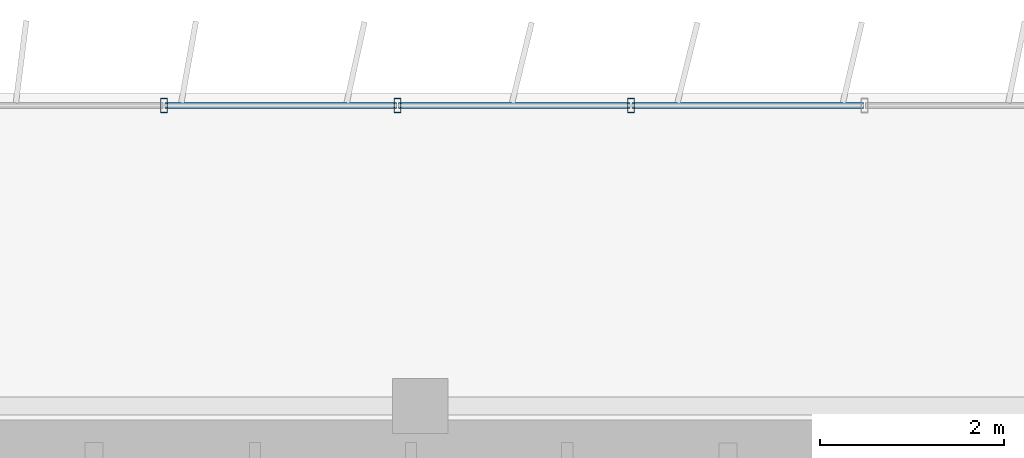
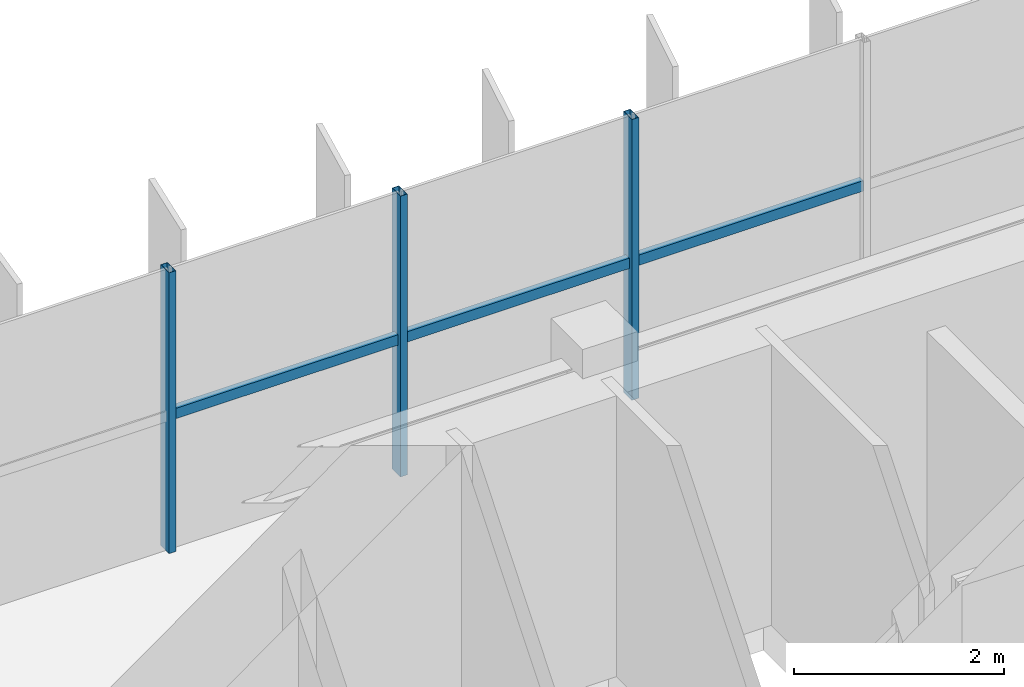
# One storey, part 15 of 28: 6 members, 1 element without a shape of its own.
"""IFC4 building model written with IfcOpenShell, lengths in metres."""

import ifcopenshell
import ifcopenshell.guid

model = None  # the IFC model being written
_history = None  # IfcOwnerHistory: only IFC2X3 demands one
_inside = {}  # id of a spatial element -> (the spatial element, [elements in it])
_under = {}  # id of a project, library or spatial element -> (it, [spatial elements below it])
_declared = {}  # id of a project -> (the project, [libraries it declares])
_typed = {}  # id of a type object -> (the type object, [elements of that type])
_made_of = {}  # id of a material, layer set ... -> (it, [elements and type objects made of it])


def new_model(schema):
    """Start an empty IFC model of exactly this schema.

    Asked for "IFC4X3", IfcOpenShell would pick the latest addendum, in which some entities
    have other attributes; the version numbers below select the first issue.
    IFC2X3 requires an IfcOwnerHistory on every rooted entity: one is made here for all.
    """
    global model, _history
    if schema == "IFC4X3":
        model = ifcopenshell.file(schema_version=(4, 3, 0, 0))
    else:
        model = ifcopenshell.file(schema=schema)
    _inside.clear()
    _under.clear()
    _declared.clear()
    _typed.clear()
    _made_of.clear()
    _history = None
    if model.schema == "IFC2X3":
        org = make("IfcOrganization", Name="unknown")
        user = make(
            "IfcPersonAndOrganization",
            ThePerson=make("IfcPerson", FamilyName="unknown"),
            TheOrganization=org,
        )
        app = make(
            "IfcApplication",
            ApplicationDeveloper=org,
            Version="unknown",
            ApplicationFullName="unknown",
            ApplicationIdentifier="unknown",
        )
        _history = make(
            "IfcOwnerHistory",
            OwningUser=user,
            OwningApplication=app,
            ChangeAction="ADDED",
            CreationDate=0,
        )
    return model


def make(cls, **values):
    """One entity of the class cls with the attributes given. An attribute that is None is left unset."""
    return model.create_entity(
        cls, **{name: value for name, value in values.items() if value is not None}
    )


def rooted(cls, **values):
    """An entity with a GlobalId (a new one), such as an element, a storey or a relation."""
    return make(cls, GlobalId=ifcopenshell.guid.new(), OwnerHistory=_history, **values)


def si_unit(unit_type, name, prefix=None):
    """IfcSIUnit, for example si_unit("LENGTHUNIT", "METRE", prefix="MILLI")."""
    return make("IfcSIUnit", UnitType=unit_type, Prefix=prefix, Name=name)


def assignment(units):
    """IfcUnitAssignment: the units of a project."""
    return None if units is None else make("IfcUnitAssignment", Units=units)


def point(xyz):
    """IfcCartesianPoint."""
    return None if xyz is None else make("IfcCartesianPoint", Coordinates=xyz)


def direction(xyz):
    """IfcDirection."""
    return None if xyz is None else make("IfcDirection", DirectionRatios=xyz)


def frame(location, z_axis=None, x_axis=None):
    """IfcAxis2Placement3D, a coordinate frame: its origin and axes. An axis left out is left unset."""
    return make(
        "IfcAxis2Placement3D",
        Location=point(location),
        Axis=direction(z_axis),
        RefDirection=direction(x_axis),
    )


def frame_2d(location, x_axis=None):
    """IfcAxis2Placement2D, a coordinate frame in the plane: its origin and x axis."""
    return make(
        "IfcAxis2Placement2D", Location=point(location), RefDirection=direction(x_axis)
    )


def origin():
    """The frame at (0, 0, 0) with its axes left unset."""
    return frame((0.0, 0.0, 0.0))


def origin_2d():
    """The frame at (0, 0) in the plane with its x axis left unset."""
    return frame_2d((0.0, 0.0))


def place(relative_to, where):
    """IfcLocalPlacement: puts the frame where relative to a parent placement (None: the world)."""
    return make(
        "IfcLocalPlacement", PlacementRelTo=relative_to, RelativePlacement=where
    )


def context(
    kind, dimensions, precision=None, world=None, true_north=None, identifier=None
):
    """IfcGeometricRepresentationContext, for example the 3D "Model" context."""
    return make(
        "IfcGeometricRepresentationContext",
        ContextIdentifier=identifier,
        ContextType=kind,
        CoordinateSpaceDimension=dimensions,
        Precision=precision,
        WorldCoordinateSystem=world,
        TrueNorth=true_north,
    )


def subcontext(parent, identifier, kind, view, scale=None):
    """IfcGeometricRepresentationSubContext, for example "Body" below "Model"."""
    return make(
        "IfcGeometricRepresentationSubContext",
        ContextIdentifier=identifier,
        ContextType=kind,
        ParentContext=parent,
        TargetScale=scale,
        TargetView=view,
    )


def project(units=None, contexts=None):
    """IfcProject with its units and contexts."""
    return rooted(
        "IfcProject",
        Name="project",
        RepresentationContexts=contexts,
        UnitsInContext=assignment(units),
    )


def spatial(cls, under=None, at=None, **own):
    """A site, building, storey or space (cls), placed at a placement, below another one or the project."""
    s = rooted(cls, ObjectPlacement=at, **own)
    if under is not None:
        _under.setdefault(under.id(), (under, []))[1].append(s)
    return s


def profile(cls, at=None, kind="AREA", **sizes):
    """A parametric profile (cls). Its sizes go by their IFC names, for example OverallWidth=200.0."""
    return make(cls, ProfileType=kind, Position=at, **sizes)


def hollow_rectangle(**sizes):
    """IfcRectangleHollowProfileDef."""
    return profile("IfcRectangleHollowProfileDef", **sizes)


def extrude(swept, where, along, depth):
    """IfcExtrudedAreaSolid: the profile swept, set in the frame where, extruded along a direction by depth."""
    return make(
        "IfcExtrudedAreaSolid",
        SweptArea=swept,
        Position=where,
        ExtrudedDirection=direction(along),
        Depth=depth,
    )


def shape(context_of_items, identifier, shape_type, items):
    """IfcShapeRepresentation: the items that make up one representation, for example the "Body"."""
    return make(
        "IfcShapeRepresentation",
        ContextOfItems=context_of_items,
        RepresentationIdentifier=identifier,
        RepresentationType=shape_type,
        Items=items,
    )


def source(mapping_origin, context_of_items, identifier, shape_type, items):
    """IfcRepresentationMap: a shape defined once, which mapped items show again and again."""
    return make(
        "IfcRepresentationMap",
        MappingOrigin=mapping_origin,
        MappedRepresentation=shape(context_of_items, identifier, shape_type, items),
    )


def transform(
    local_origin,
    x_axis=None,
    y_axis=None,
    z_axis=None,
    scale=None,
    scale2=None,
    scale3=None,
    uniform=True,
):
    """IfcCartesianTransformationOperator3D, or its non-uniform kind. x_axis, y_axis, z_axis: its Axis1, 2, 3."""
    if uniform:
        return make(
            "IfcCartesianTransformationOperator3D",
            Axis1=direction(x_axis),
            Axis2=direction(y_axis),
            LocalOrigin=point(local_origin),
            Scale=scale,
            Axis3=direction(z_axis),
        )
    return make(
        "IfcCartesianTransformationOperator3DnonUniform",
        Axis1=direction(x_axis),
        Axis2=direction(y_axis),
        LocalOrigin=point(local_origin),
        Scale=scale,
        Axis3=direction(z_axis),
        Scale2=scale2,
        Scale3=scale3,
    )


def mapped(mapping_source, mapping_target):
    """IfcMappedItem: shows the shape of a source again, moved by a transform."""
    return make(
        "IfcMappedItem", MappingSource=mapping_source, MappingTarget=mapping_target
    )


def material(Name=None, Category=None):
    """IfcMaterial."""
    return make("IfcMaterial", Name=Name, Category=Category)


def material_profile(
    of_material, cross_section, Name=None, Category=None, Priority=None
):
    """IfcMaterialProfile: a cross section and its material."""
    return make(
        "IfcMaterialProfile",
        Name=Name,
        Material=of_material,
        Profile=cross_section,
        Priority=Priority,
        Category=Category,
    )


def profile_set(profiles, Name=None, composite=None):
    """IfcMaterialProfileSet."""
    return make(
        "IfcMaterialProfileSet",
        Name=Name,
        MaterialProfiles=profiles,
        CompositeProfile=composite,
    )


def made_of(thing, what):
    """Note that an element or type object is made of a material, layer set ...; save() writes the relation."""
    if what is not None:
        _made_of.setdefault(what.id(), (what, []))[1].append(thing)
    return thing


def type_object(cls, material=None, **own):
    """A type object (cls), such as IfcWallType, which elements share."""
    return made_of(rooted(cls, **own), material)


def element(
    cls,
    number,
    at=None,
    inside=None,
    cuts=None,
    type_object=None,
    material=None,
    context=None,
    identifier="Body",
    shape_type=None,
    held_by="IfcProductDefinitionShape",
    body=None,
    shapes=None,
    **own,
):
    """One element of the class cls, such as IfcWall. Its Tag is "e" and its number.

    at: its placement. inside: the storey or other place that contains it. cuts: it is an
    opening in that element (IfcRelVoidsElement). A single representation is given by context,
    identifier, shape_type and body (its items); several are given by shapes. held_by: the class
    of the entity that holds the representations. save() writes the other relations.
    """
    e = rooted(cls, Tag="e%d" % number, ObjectPlacement=at, **own)
    if body is not None:
        shapes = [shape(context, identifier, shape_type, body)]
    if shapes is not None:
        e.Representation = make(held_by, Representations=shapes)
    if inside is not None:
        _inside.setdefault(inside.id(), (inside, []))[1].append(e)
    if cuts is not None:
        rooted(
            "IfcRelVoidsElement", RelatingBuildingElement=cuts, RelatedOpeningElement=e
        )
    if type_object is not None:
        _typed.setdefault(type_object.id(), (type_object, []))[1].append(e)
    return made_of(e, material)


def aggregate(whole, parts):
    """IfcRelAggregates: a whole, such as a stair, and the parts it consists of."""
    return rooted("IfcRelAggregates", RelatingObject=whole, RelatedObjects=parts)


def save(model, path):
    """Write the relations noted so far, then the file.

    IfcRelAggregates (storeys below a building ...), IfcRelContainedInSpatialStructure (elements
    in a storey), IfcRelDefinesByType, IfcRelAssociatesMaterial and IfcRelDeclares: one each for
    every whole, place, type object, material and project.
    """
    for whole, parts in _under.values():
        aggregate(whole, parts)
    for where, things in _inside.values():
        rooted(
            "IfcRelContainedInSpatialStructure",
            RelatedElements=things,
            RelatingStructure=where,
        )
    for kind, things in _typed.values():
        rooted("IfcRelDefinesByType", RelatedObjects=things, RelatingType=kind)
    for what, things in _made_of.values():
        rooted("IfcRelAssociatesMaterial", RelatedObjects=things, RelatingMaterial=what)
    for by, libraries in _declared.values():
        rooted("IfcRelDeclares", RelatingContext=by, RelatedDefinitions=libraries)
    model.write(path)


model = new_model("IFC4")

# Units and contexts
model_context = context("Model", 3, precision=1e-05, world=origin(), true_north=direction((0.0, 1.0)))
body_context = subcontext(model_context, "Body", "Model", "MODEL_VIEW")
ifc_project = project(units=[si_unit("LENGTHUNIT", "METRE"), si_unit("AREAUNIT", "SQUARE_METRE"), si_unit("VOLUMEUNIT", "CUBIC_METRE"), si_unit("PLANEANGLEUNIT", "RADIAN"), si_unit("MASSUNIT", "GRAM", prefix="KILO")], contexts=[model_context])

# Site, building, storey
site_placement = place(None, origin())
site = spatial("IfcSite", under=ifc_project, at=site_placement, CompositionType="ELEMENT")
building_placement = place(site_placement, origin())
building = spatial("IfcBuilding", under=site, at=building_placement, Name="Trelvane Seafront Commons", CompositionType="ELEMENT")
storey_placement = place(building_placement, frame((0.0, 0.0, 295.5)))
storey = spatial("IfcBuildingStorey", under=building, at=storey_placement, Name="L77", CompositionType="ELEMENT", Elevation=295.5)

# Curtain wall, members
ifc_material = material(Name="Anodised pale-silver aluminium", Category="aluminium")
curtain_wall_type = type_object("IfcCurtainWallType", Name="ARCH-CW5-UPTOWER", PredefinedType="NOTDEFINED", material=ifc_material)
curtain_wall_placement = place(storey_placement, origin())
curtain_wall = element("IfcCurtainWall", 1, at=curtain_wall_placement, inside=storey, type_object=curtain_wall_type, Name="CW-L77-0122", PredefinedType="NOTDEFINED")
ifc_material_profile_1 = material_profile(ifc_material, hollow_rectangle(XDim=0.070068359375, YDim=0.1201171875, WallThickness=0.00390625, at=origin_2d()), Name="TRAN-70x120x4")
ifc_profile_set_1 = profile_set([ifc_material_profile_1], Name="Anodised pale-silver aluminium")
member_type_1 = type_object("IfcMemberType", Name="ARCH-CW-TRAN-120", PredefinedType="USERDEFINED", material=ifc_profile_set_1)
shared_shape_1 = source(origin(), body_context, "Body", "SweptSolid", [
    extrude(hollow_rectangle(XDim=0.070068359375, YDim=0.1201171875, WallThickness=0.00390625, at=origin_2d()), origin(), (0.0, 0.0, 1.0), 2.51708984375),
])
member_1_placement = place(storey_placement, frame((43.56494140625, 48.3701171875, 1.56494140625), z_axis=(1.0, 0.0, 0.0), x_axis=(0.0, 1.0, 0.0)))
member_1 = element("IfcMember", 2, at=member_1_placement, type_object=member_type_1, Name="CW-L77-0122-T11", ObjectType="TRANSOM", PredefinedType="USERDEFINED", context=body_context, shape_type="MappedRepresentation", body=[
    mapped(shared_shape_1, transform((0.0, 0.0, 0.0), x_axis=(1.0, 0.0, 0.0), y_axis=(0.0, 1.0, 0.0), z_axis=(0.0, 0.0, 1.0), scale=1.0)),
])
member_2_placement = place(storey_placement, frame((46.106201171875, 48.3701171875, 1.56494140625), z_axis=(1.0, 0.0, 0.0), x_axis=(0.0, 1.0, 0.0)))
member_2 = element("IfcMember", 3, at=member_2_placement, type_object=member_type_1, Name="CW-L77-0122-T12", ObjectType="TRANSOM", PredefinedType="USERDEFINED", context=body_context, shape_type="MappedRepresentation", body=[
    mapped(shared_shape_1, transform((0.0, 0.0, 0.0), x_axis=(1.0, 0.0, 0.0), y_axis=(0.0, 1.0, 0.0), z_axis=(0.0, 0.0, 1.0), scale=1.0)),
])
shared_shape_2 = source(origin(), body_context, "Body", "SweptSolid", [
    extrude(hollow_rectangle(XDim=0.070068359375, YDim=0.1201171875, WallThickness=0.00390625, at=origin_2d()), origin(), (0.0, 0.0, 1.0), 2.517333984375),
])
member_3_placement = place(storey_placement, frame((41.023681640625, 48.3701171875, 1.56494140625), z_axis=(1.0, 0.0, 0.0), x_axis=(0.0, 1.0, 0.0)))
member_3 = element("IfcMember", 4, at=member_3_placement, type_object=member_type_1, Name="CW-L77-0122-T10", ObjectType="TRANSOM", PredefinedType="USERDEFINED", context=body_context, shape_type="MappedRepresentation", body=[
    mapped(shared_shape_2, transform((0.0, 0.0, 0.0), x_axis=(1.0, 0.0, 0.0), y_axis=(0.0, 1.0, 0.0), z_axis=(0.0, 0.0, 1.0), scale=1.0)),
])
ifc_material_profile_2 = material_profile(ifc_material, hollow_rectangle(XDim=0.074951171875, YDim=0.159912109375, WallThickness=0.00390625, at=origin_2d()), Name="MULL-75x160x4")
ifc_profile_set_2 = profile_set([ifc_material_profile_2], Name="Anodised pale-silver aluminium")
member_type_2 = type_object("IfcMemberType", Name="ARCH-CW-MULL-160", PredefinedType="MULLION", material=ifc_profile_set_2)
shared_shape_3 = source(origin(), body_context, "Body", "SweptSolid", [
    extrude(hollow_rectangle(XDim=0.074951171875, YDim=0.159912109375, WallThickness=0.00390625, at=origin_2d()), origin(), (0.0, 0.0, 1.0), 3.260009765625),
])
member_4_placement = place(storey_placement, frame((41.01171875, 48.3701171875, 0.0), z_axis=(0.0, 0.0, 1.0), x_axis=(1.0, 0.0, 0.0)))
member_4 = element("IfcMember", 5, at=member_4_placement, type_object=member_type_2, Name="CW-L77-0122-M10", PredefinedType="MULLION", context=body_context, shape_type="MappedRepresentation", body=[
    mapped(shared_shape_3, transform((0.0, 0.0, 0.0), x_axis=(1.0, 0.0, 0.0), y_axis=(0.0, 1.0, 0.0), z_axis=(0.0, 0.0, 1.0), scale=1.0)),
])
member_5_placement = place(storey_placement, frame((43.552978515625, 48.3701171875, 0.0), z_axis=(0.0, 0.0, 1.0), x_axis=(1.0, 0.0, 0.0)))
member_5 = element("IfcMember", 6, at=member_5_placement, type_object=member_type_2, Name="CW-L77-0122-M11", PredefinedType="MULLION", context=body_context, shape_type="MappedRepresentation", body=[
    mapped(shared_shape_3, transform((0.0, 0.0, 0.0), x_axis=(1.0, 0.0, 0.0), y_axis=(0.0, 1.0, 0.0), z_axis=(0.0, 0.0, 1.0), scale=1.0)),
])
member_6_placement = place(storey_placement, frame((46.093994140625, 48.3701171875, 0.0), z_axis=(0.0, 0.0, 1.0), x_axis=(1.0, 0.0, 0.0)))
member_6 = element("IfcMember", 7, at=member_6_placement, type_object=member_type_2, Name="CW-L77-0122-M12", PredefinedType="MULLION", context=body_context, shape_type="MappedRepresentation", body=[
    mapped(shared_shape_3, transform((0.0, 0.0, 0.0), x_axis=(1.0, 0.0, 0.0), y_axis=(0.0, 1.0, 0.0), z_axis=(0.0, 0.0, 1.0), scale=1.0)),
])
aggregate(curtain_wall, [member_4, member_5, member_6, member_3, member_1, member_2])

save(model, "model.ifc")
